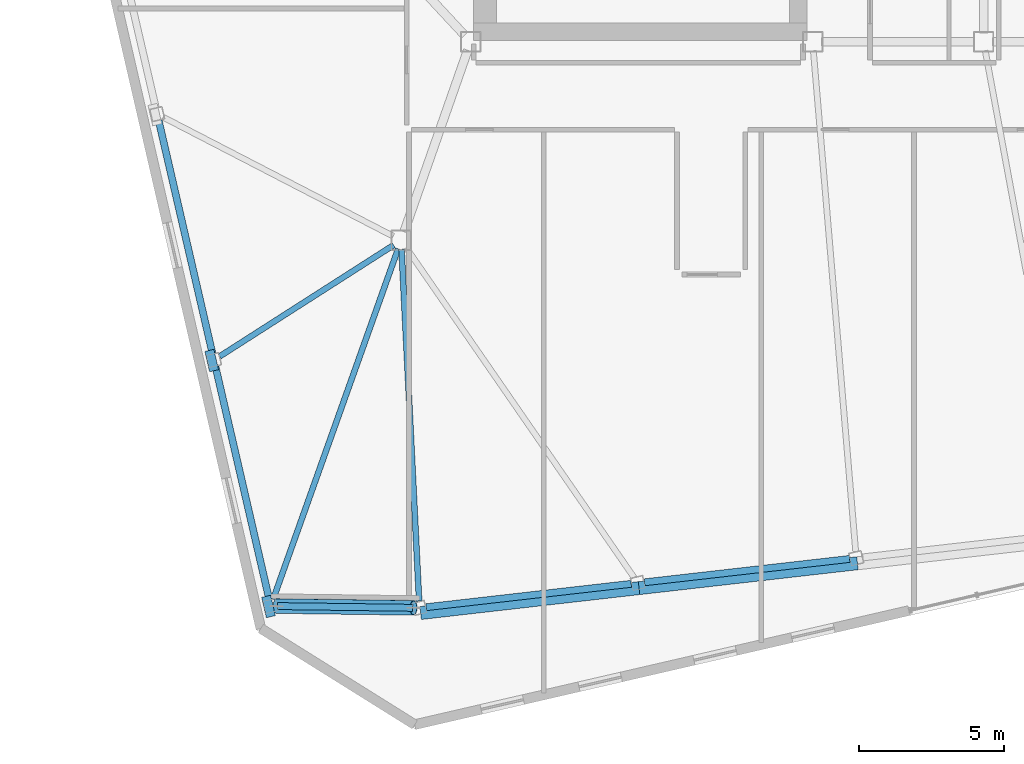
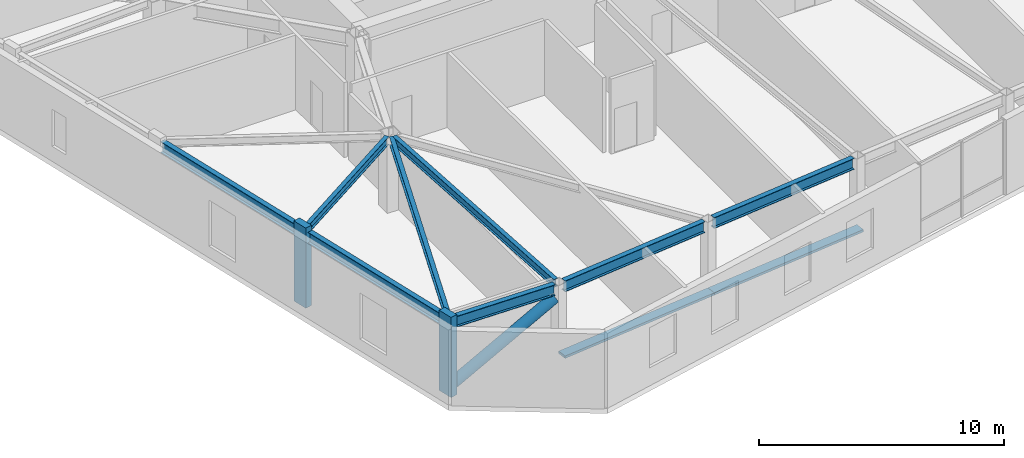
# One storey, part 4 of 24: 8 beams, 5 members.
"""IFC4 building model written with IfcOpenShell, lengths in metres."""

from ifc_helpers import new_model, si_unit, direction, frame, origin, origin_2d, place, context, subcontext, project, spatial, rectangle, hollow_circle, i_section, extrude, material, material_profile, profile_set, type_object, element, save


model = new_model("IFC4")

# Units and contexts
model_context = context("Model", 3, precision=1e-05, world=origin(), true_north=direction((0.0, 1.0)))
body_context = subcontext(model_context, "Body", "Model", "MODEL_VIEW")
ifc_project = project(units=[si_unit("LENGTHUNIT", "METRE"), si_unit("AREAUNIT", "SQUARE_METRE"), si_unit("VOLUMEUNIT", "CUBIC_METRE"), si_unit("PLANEANGLEUNIT", "RADIAN"), si_unit("MASSUNIT", "GRAM", prefix="KILO")], contexts=[model_context])

# Site, building, storey
site_placement = place(None, origin())
site = spatial("IfcSite", under=ifc_project, at=site_placement, CompositionType="ELEMENT")
building_placement = place(site_placement, origin())
building = spatial("IfcBuilding", under=site, at=building_placement, Name="Tavrogorsk Clinical Tower", CompositionType="ELEMENT")
storey_placement = place(building_placement, frame((0.0, 0.0, 321.0)))
storey = spatial("IfcBuildingStorey", under=building, at=storey_placement, Name="L75", CompositionType="ELEMENT", Elevation=321.0)

# Members
ifc_material_1 = material(Name="Anodised aluminium alloy AW-6063", Category="aluminium")
ifc_material_profile_1 = material_profile(ifc_material_1, rectangle(XDim=0.449951171875, YDim=0.1201171875, at=origin_2d()), Name="ALU-SUNSHADE-450x120")
ifc_profile_set_1 = profile_set([ifc_material_profile_1], Name="Anodised aluminium alloy AW-6063")
member_type_1 = type_object("IfcMemberType", Name="ChicagoSunshade_450x120", PredefinedType="USERDEFINED", material=ifc_profile_set_1)
member_1_placement = place(storey_placement, frame((-23.826416015625, -26.061279296875, 0.179931640625), z_axis=(0.993572551544, 0.113197106051, 0.0), x_axis=(-0.113197106051, 0.993572551544, 0.0)))
element("IfcMember", 1, at=member_1_placement, inside=storey, type_object=member_type_1, Name="L75 South Aluminium Sunshade S1", ObjectType="SUNSHADE", PredefinedType="USERDEFINED", context=body_context, shape_type="SweptSolid", body=[
    extrude(rectangle(XDim=0.449951171875, YDim=0.1201171875, at=origin_2d()), origin(), (0.0, 0.0, 1.0), 7.58544921875),
])
member_2_placement = place(storey_placement, frame((-16.289794921875, -25.20263671875, 0.179931640625), z_axis=(0.99357213911, 0.113200726076, 0.0), x_axis=(-0.113200726076, 0.99357213911, 0.0)))
element("IfcMember", 2, at=member_2_placement, inside=storey, type_object=member_type_1, Name="L75 South Aluminium Sunshade S2", ObjectType="SUNSHADE", PredefinedType="USERDEFINED", context=body_context, shape_type="SweptSolid", body=[
    extrude(rectangle(XDim=0.449951171875, YDim=0.1201171875, at=origin_2d()), origin(), (0.0, 0.0, 1.0), 7.585205078125),
])
ifc_material_2 = material(Name="Structural steel S440", Category="steel")
ifc_material_profile_2 = material_profile(ifc_material_2, hollow_circle(Radius=0.25390625, WallThickness=0.02001953125, at=origin_2d()), Name="CHS-508x20")
ifc_profile_set_2 = profile_set([ifc_material_profile_2], Name="Structural steel S440")
member_type_2 = type_object("IfcMemberType", Name="ExoBrace_CHS508", PredefinedType="BRACE", material=ifc_profile_set_2)
member_3_placement = place(storey_placement, frame((-28.794677734375, -25.821533203125, 0.412841796875), z_axis=(0.874894907887, -0.011394569062, 0.484178752062), x_axis=(0.013022824449, 0.999915199426, 0.0)))
element("IfcMember", 3, at=member_3_placement, inside=storey, type_object=member_type_2, Name="L75 Corner Exoskeleton Brace W5-S1", PredefinedType="BRACE", context=body_context, shape_type="SweptSolid", body=[
    extrude(hollow_circle(Radius=0.25390625, WallThickness=0.02001953125, at=origin_2d()), origin(), (0.0, 0.0, 1.0), 5.3994140625),
])

# Beams
ifc_material_3 = material(Name="Structural steel S355", Category="steel")
ifc_material_profile_3 = material_profile(ifc_material_3, i_section(OverallWidth=0.199951171875, OverallDepth=0.39990234375, WebThickness=0.010498046875, FlangeThickness=0.01611328125, at=origin_2d()), Name="B-400x200x10.5x16")
ifc_profile_set_3 = profile_set([ifc_material_profile_3], Name="Structural steel S355")
beam_type_1 = type_object("IfcBeamType", Name="FloorBeam_B400", PredefinedType="BEAM", material=ifc_profile_set_3)
beam_1_placement = place(storey_placement, frame((-24.484619140625, -13.509521484375, 3.5400390625), z_axis=(0.049857498916, -0.998756341558, 0.0), x_axis=(0.998756341558, 0.049857498916, 0.0)))
element("IfcBeam", 4, at=beam_1_placement, inside=storey, type_object=beam_type_1, Name="L75 Radial Floor Beam S1", PredefinedType="BEAM", context=body_context, shape_type="SweptSolid", body=[
    extrude(i_section(OverallWidth=0.199951171875, OverallDepth=0.39990234375, WebThickness=0.010498046875, FlangeThickness=0.01611328125, at=origin_2d()), origin(), (0.0, 0.0, 1.0), 12.15869140625),
])
beam_2_placement = place(storey_placement, frame((-24.76123046875, -13.3671875, 3.5400390625), z_axis=(-0.842332392078, -0.538958385459, 0.0), x_axis=(0.538958385459, -0.842332392078, 0.0)))
element("IfcBeam", 5, at=beam_2_placement, inside=storey, type_object=beam_type_1, Name="L75 Radial Floor Beam W4", PredefinedType="BEAM", context=body_context, shape_type="SweptSolid", body=[
    extrude(i_section(OverallWidth=0.199951171875, OverallDepth=0.39990234375, WebThickness=0.010498046875, FlangeThickness=0.01611328125, at=origin_2d()), origin(), (0.0, 0.0, 1.0), 7.123779296875),
])
beam_3_placement = place(storey_placement, frame((-24.60400390625, -13.491943359375, 3.5400390625), z_axis=(-0.335800921645, -0.941932981173, 0.0), x_axis=(0.941932981173, -0.335800921645, 0.0)))
element("IfcBeam", 6, at=beam_3_placement, inside=storey, type_object=beam_type_1, Name="L75 Radial Floor Beam W5", PredefinedType="BEAM", context=body_context, shape_type="SweptSolid", body=[
    extrude(i_section(OverallWidth=0.199951171875, OverallDepth=0.39990234375, WebThickness=0.010498046875, FlangeThickness=0.01611328125, at=origin_2d()), origin(), (0.0, 0.0, 1.0), 12.85400390625),
])

# Members
ifc_material_4 = material(Name="Precast concrete B45 with limestone cladding", Category="masonry")
ifc_material_profile_4 = material_profile(ifc_material_4, rectangle(XDim=0.320068359375, YDim=0.719970703125, at=origin_2d()), Name="LIMESTONE-FIN-320x720")
ifc_profile_set_4 = profile_set([ifc_material_profile_4], Name="Precast concrete B45 with limestone cladding")
member_type_3 = type_object("IfcMemberType", Name="LimestonePleatFin_320x720", PredefinedType="USERDEFINED", material=ifc_profile_set_4)
for number, where, z_axis, x_axis, name in (
    (7, (-31.035888671875, -17.35009765625, 0.0), (0.0, 0.0, 1.0), (0.974370064785, 0.224951054344, 0.0), "L75 W Pleated Stone Fin 3"),
    (8, (-29.07666015625, -25.8369140625, 0.0), (0.0, 0.0, 1.0), (0.974370064785, 0.224951054344, 0.0), "L75 W Pleated Stone Fin 4"),
):
    element("IfcMember", number, at=place(storey_placement, frame(where, z_axis=z_axis, x_axis=x_axis)), inside=storey, type_object=member_type_3, Name=name, ObjectType="FIN", PredefinedType="USERDEFINED", context=body_context, shape_type="SweptSolid", body=[
        extrude(rectangle(XDim=0.320068359375, YDim=0.719970703125, at=origin_2d()), origin(), (0.0, 0.0, 1.0), 4.0),
    ])

# Beams
ifc_material_5 = material(Name="Structural steel S390", Category="steel")
ifc_material_profile_5 = material_profile(ifc_material_5, i_section(OverallWidth=0.239990234375, OverallDepth=0.550048828125, WebThickness=0.013916015625, FlangeThickness=0.02197265625, at=origin_2d()), Name="B-550x240x14x22")
ifc_profile_set_5 = profile_set([ifc_material_profile_5], Name="Structural steel S390")
beam_type_2 = type_object("IfcBeamType", Name="SpandrelBeam_B550", PredefinedType="SPANDREL", material=ifc_profile_set_5)
for number, where, z_axis, x_axis, name in (
    (9, (-23.635498046875, -25.859375, 3.465087890625), (0.993572073137, 0.113201305126, 0.0), (-0.113201305126, 0.993572073137, 0.0), "L75 Perimeter Spandrel S1-S2"),
    (10, (-16.098876953125, -25.000732421875, 3.465087890625), (0.993572073137, 0.113201305126, 0.0), (-0.113201305126, 0.993572073137, 0.0), "L75 Perimeter Spandrel S2-S3"),
):
    element("IfcBeam", number, at=place(storey_placement, frame(where, z_axis=z_axis, x_axis=x_axis)), inside=storey, type_object=beam_type_2, Name=name, PredefinedType="SPANDREL", context=body_context, shape_type="SweptSolid", body=[
        extrude(i_section(OverallWidth=0.239990234375, OverallDepth=0.550048828125, WebThickness=0.013916015625, FlangeThickness=0.02197265625, at=origin_2d()), origin(), (0.0, 0.0, 1.0), 7.119140625),
    ])
beam_4_placement = place(storey_placement, frame((-32.864990234375, -9.072509765625, 3.465087890625), z_axis=(0.224978460613, -0.974363737144, 0.0), x_axis=(0.974363737144, 0.224978460613, 0.0)))
element("IfcBeam", 11, at=beam_4_placement, inside=storey, type_object=beam_type_2, Name="L75 Perimeter Spandrel W3-W4", PredefinedType="SPANDREL", context=body_context, shape_type="SweptSolid", body=[
    extrude(i_section(OverallWidth=0.239990234375, OverallDepth=0.550048828125, WebThickness=0.013916015625, FlangeThickness=0.02197265625, at=origin_2d()), origin(), (0.0, 0.0, 1.0), 8.244140625),
])
beam_5_placement = place(storey_placement, frame((-30.905517578125, -17.559326171875, 3.465087890625), z_axis=(0.224950345141, -0.974370228517, 0.0), x_axis=(0.974370228517, 0.224950345141, 0.0)))
element("IfcBeam", 12, at=beam_5_placement, inside=storey, type_object=beam_type_2, Name="L75 Perimeter Spandrel W4-W5", PredefinedType="SPANDREL", context=body_context, shape_type="SweptSolid", body=[
    extrude(i_section(OverallWidth=0.239990234375, OverallDepth=0.550048828125, WebThickness=0.013916015625, FlangeThickness=0.02197265625, at=origin_2d()), origin(), (0.0, 0.0, 1.0), 8.243896484375),
])
beam_6_placement = place(storey_placement, frame((-28.765625, -25.822021484375, 3.465087890625), z_axis=(0.999915131489, -0.013028039754, 0.0), x_axis=(0.013028039754, 0.999915131489, 0.0)))
element("IfcBeam", 13, at=beam_6_placement, inside=storey, type_object=beam_type_2, Name="L75 Perimeter Spandrel W5-S1", PredefinedType="SPANDREL", context=body_context, shape_type="SweptSolid", body=[
    extrude(i_section(OverallWidth=0.239990234375, OverallDepth=0.550048828125, WebThickness=0.013916015625, FlangeThickness=0.02197265625, at=origin_2d()), origin(), (0.0, 0.0, 1.0), 4.666259765625),
])

save(model, "model.ifc")
